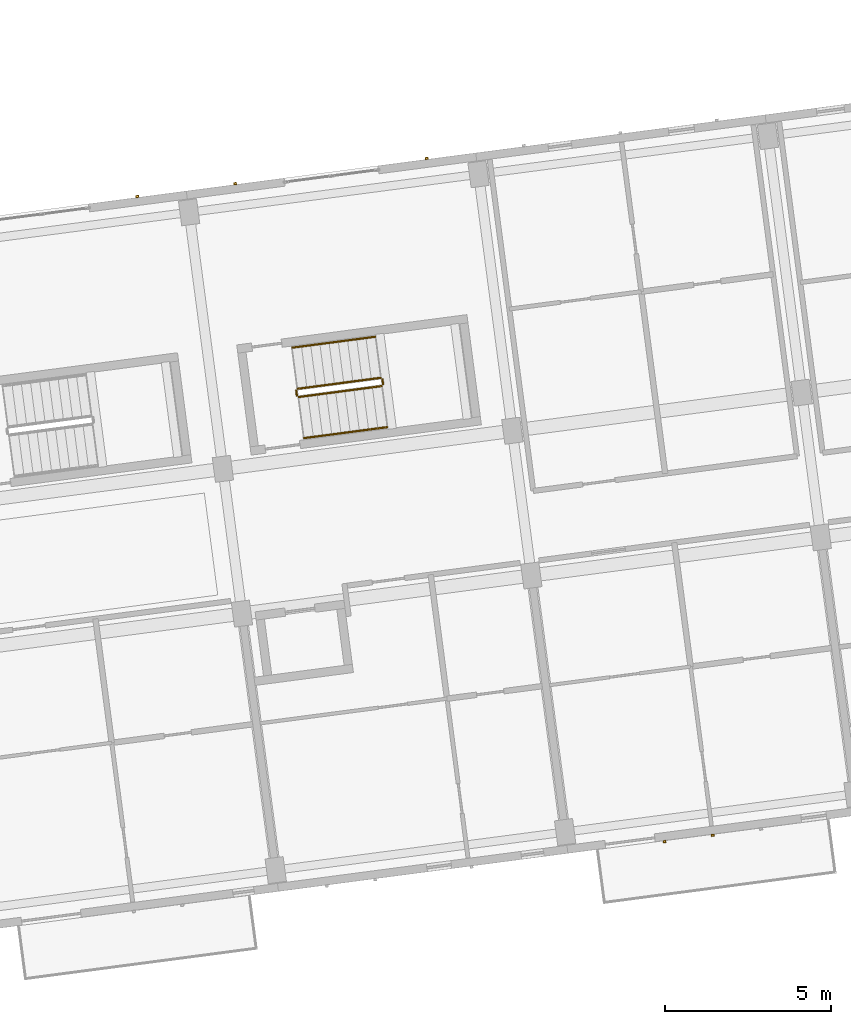
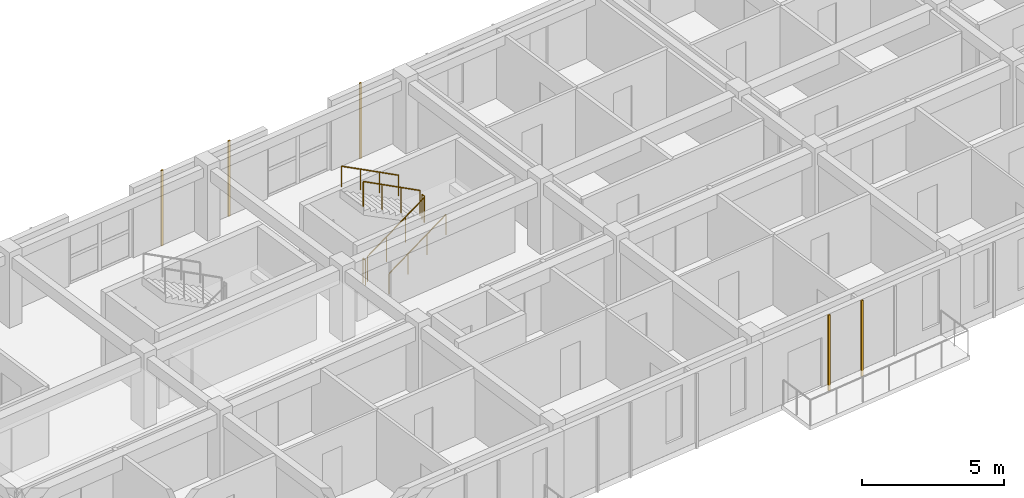
# One storey, part 46 of 68: 6 railings, 5 coverings.
"""IFC4 building model written with IfcOpenShell, lengths in metres."""

from ifc_helpers import new_model, si_unit, direction, frame, origin, origin_2d, place, context, subcontext, project, spatial, rectangle, circle, extrude, material, layer, layer_set, type_object, element, save


model = new_model("IFC4")

# Units and contexts
model_context = context("Model", 3, precision=1e-05, world=origin(), true_north=direction((0.0, 1.0)))
body_context = subcontext(model_context, "Body", "Model", "MODEL_VIEW")
ifc_project = project(units=[si_unit("LENGTHUNIT", "METRE"), si_unit("AREAUNIT", "SQUARE_METRE"), si_unit("VOLUMEUNIT", "CUBIC_METRE"), si_unit("PLANEANGLEUNIT", "RADIAN"), si_unit("MASSUNIT", "GRAM", prefix="KILO")], contexts=[model_context])

# Site, building, storey
site_placement = place(None, origin())
site = spatial("IfcSite", under=ifc_project, at=site_placement, CompositionType="ELEMENT")
building_placement = place(site_placement, origin())
building = spatial("IfcBuilding", under=site, at=building_placement, Name="Kestramere Prow Commons", CompositionType="ELEMENT")
storey_placement = place(building_placement, frame((0.0, 0.0, 18.14990234375)))
storey = spatial("IfcBuildingStorey", under=building, at=storey_placement, Name="L05", CompositionType="ELEMENT", Elevation=18.14990234375)

# Coverings
ifc_material_1 = material(Name="Weathered Zinc-Titanium Standing-Seam Cladding")
ifc_layer = layer(ifc_material_1, 0.074951171875)
ifc_layer_set = layer_set([ifc_layer], Name="Weathered Zinc-Titanium Standing-Seam Cladding")
covering_type = type_object("IfcCoveringType", Name="COV-CLAD-SEAM", PredefinedType="CLADDING", material=ifc_layer_set)
for number, where, z_axis, x_axis, name in (
    (1, (41.824951171875, 75.348388671875, -0.25), (0.0, 0.0, 1.0), (-0.991444861374, -0.13052619222, 0.0), "EW-A-L05-S-3 Standing-Seam Rib 3"),
    (2, (40.370849609375, 75.156982421875, -0.25), (0.0, 0.0, 1.0), (-0.991444861374, -0.13052619222, 0.0), "EW-A-L05-S-3 Standing-Seam Rib 4"),
    (3, (24.4755859375, 94.603759765625, -0.25), (0.0, 0.0, 1.0), (0.991444861374, 0.13052619222, 0.0), "EW-A-L05-NP-1-R Standing-Seam Rib 1"),
    (4, (27.42529296875, 94.991943359375, -0.25), (0.0, 0.0, 1.0), (0.991444861374, 0.13052619222, 0.0), "EW-A-L05-NP-2-L Standing-Seam Rib 1"),
    (5, (33.200439453125, 95.75244140625, -0.25), (0.0, 0.0, 1.0), (0.991444861374, 0.13052619222, 0.0), "EW-A-L05-NP-2-R Standing-Seam Rib 1"),
):
    element("IfcCovering", number, at=place(storey_placement, frame(where, z_axis=z_axis, x_axis=x_axis)), inside=storey, type_object=covering_type, Name=name, PredefinedType="CLADDING", context=body_context, shape_type="SweptSolid", body=[
        extrude(rectangle(XDim=0.0849609375, YDim=0.06494140625, at=origin_2d()), origin(), (0.0, 0.0, 1.0), 3.25),
    ])

# Railings
ifc_material_2 = material(Name="Galvanised Steel S275JR", Category="steel")
railing_type_1 = type_object("IfcRailingType", Name="RL-ST-GR-1100", PredefinedType="GUARDRAIL", material=ifc_material_2)
railing_1_placement = place(storey_placement, frame((29.34375, 88.559814453125, 0.16259765625)))
element("IfcRailing", 6, at=railing_1_placement, inside=storey, type_object=railing_type_1, Name="L05 ST-A2 stair guard 1", PredefinedType="GUARDRAIL", context=body_context, shape_type="SweptSolid", body=[
    extrude(circle(Radius=0.02392578125, at=origin_2d()), frame((0.0, 0.0, 1.076171875), z_axis=(0.857492745196, 0.112958098361, 0.501942885148), x_axis=(-0.130602379397, 0.991434828164, 0.0)), (0.0, 0.0, 1.0), 2.91357421875),
    extrude(circle(Radius=0.02099609375, at=origin_2d()), origin(), (0.0, 0.0, 1.0), 1.052001953125),
    extrude(circle(Radius=0.02099609375, at=origin_2d()), frame((0.832763671875, 0.109619140625, 0.487548828125)), (0.0, 0.0, 1.0), 1.052001953125),
    extrude(circle(Radius=0.02099609375, at=origin_2d()), frame((1.66552734375, 0.219482421875, 0.974853515625)), (0.0, 0.0, 1.0), 1.052001953125),
    extrude(circle(Radius=0.02099609375, at=origin_2d()), frame((2.498291015625, 0.3291015625, 1.46240234375)), (0.0, 0.0, 1.0), 1.052001953125),
])
railing_2_placement = place(storey_placement, frame((31.88525390625, 88.94482421875, 1.625)))
element("IfcRailing", 7, at=railing_2_placement, inside=storey, type_object=railing_type_1, Name="L05 ST-A2 stair guard 2", PredefinedType="GUARDRAIL", context=body_context, shape_type="SweptSolid", body=[
    extrude(circle(Radius=0.02392578125, at=origin_2d()), frame((0.0, 0.0, 1.076171875), z_axis=(-0.1300340368, 0.991509530601, 0.0), x_axis=(-0.991509530601, -0.1300340368, 0.0)), (0.0, 0.0, 1.0), 0.150146484375),
    extrude(circle(Radius=0.02099609375, at=origin_2d()), origin(), (0.0, 0.0, 1.0), 1.052001953125),
    extrude(circle(Radius=0.02099609375, at=origin_2d()), frame((-0.01953125, 0.14892578125, 0.0)), (0.0, 0.0, 1.0), 1.052001953125),
])
railing_3_placement = place(storey_placement, frame((31.8095703125, 89.13671875, 1.78759765625)))
element("IfcRailing", 8, at=railing_3_placement, inside=storey, type_object=railing_type_1, Name="L05 ST-A2 stair guard 3", PredefinedType="GUARDRAIL", context=body_context, shape_type="SweptSolid", body=[
    extrude(circle(Radius=0.02392578125, at=origin_2d()), frame((0.0, 0.0, 1.076171875), z_axis=(-0.85752303711, -0.112867259233, 0.501911568525), x_axis=(0.130494608992, -0.991449018873, 0.0)), (0.0, 0.0, 1.0), 2.91357421875),
    extrude(circle(Radius=0.02099609375, at=origin_2d()), origin(), (0.0, 0.0, 1.0), 1.052001953125),
    extrude(circle(Radius=0.02099609375, at=origin_2d()), frame((-0.832763671875, -0.109619140625, 0.487548828125)), (0.0, 0.0, 1.0), 1.052001953125),
    extrude(circle(Radius=0.02099609375, at=origin_2d()), frame((-1.665771484375, -0.21923828125, 0.974853515625)), (0.0, 0.0, 1.0), 1.052001953125),
    extrude(circle(Radius=0.02099609375, at=origin_2d()), frame((-2.49853515625, -0.328857421875, 1.46240234375)), (0.0, 0.0, 1.0), 1.052001953125),
])
railing_4_placement = place(storey_placement, frame((29.28759765625, 88.60302734375, 0.0)))
element("IfcRailing", 9, at=railing_4_placement, inside=storey, type_object=railing_type_1, Name="L05 ST-A2 stair guard 4", PredefinedType="GUARDRAIL", context=body_context, shape_type="SweptSolid", body=[
    extrude(circle(Radius=0.02392578125, at=origin_2d()), frame((0.0, 0.0, 1.076171875), z_axis=(-0.130243938252, 0.991481979941, 0.0), x_axis=(-0.991481979941, -0.130243938252, 0.0)), (0.0, 0.0, 1.0), 0.14990234375),
    extrude(circle(Radius=0.02099609375, at=origin_2d()), origin(), (0.0, 0.0, 1.0), 1.052001953125),
    extrude(circle(Radius=0.02099609375, at=origin_2d()), frame((-0.01953125, 0.148681640625, 0.0)), (0.0, 0.0, 1.0), 1.052001953125),
])
ifc_material_3 = material(Name="Stainless Steel 304", Category="steel")
railing_type_2 = type_object("IfcRailingType", Name="RL-ST-HR-900", PredefinedType="HANDRAIL", material=ifc_material_3)
railing_5_placement = place(storey_placement, frame((29.5068359375, 87.320556640625, 0.3251953125)))
element("IfcRailing", 10, at=railing_5_placement, inside=storey, type_object=railing_type_2, Name="L05 ST-A2 stair handrail 1", PredefinedType="HANDRAIL", context=body_context, shape_type="SweptSolid", body=[
    extrude(circle(Radius=0.02392578125, at=origin_2d()), frame((0.0, 0.0, 0.8759765625), z_axis=(0.85752303711, 0.112867259233, 0.501911568525), x_axis=(-0.130494608992, 0.991449018873, 0.0)), (0.0, 0.0, 1.0), 2.91357421875),
    extrude(circle(Radius=0.02099609375, at=origin_2d()), origin(), (0.0, 0.0, 1.0), 0.851806640625),
    extrude(circle(Radius=0.02099609375, at=origin_2d()), frame((0.832763671875, 0.109619140625, 0.487548828125)), (0.0, 0.0, 1.0), 0.851806640625),
    extrude(circle(Radius=0.02099609375, at=origin_2d()), frame((1.665771484375, 0.21923828125, 0.974853515625)), (0.0, 0.0, 1.0), 0.851806640625),
    extrude(circle(Radius=0.02099609375, at=origin_2d()), frame((2.49853515625, 0.328857421875, 1.46240234375)), (0.0, 0.0, 1.0), 0.851806640625),
])
railing_6_placement = place(storey_placement, frame((31.646484375, 90.3759765625, 1.9501953125)))
element("IfcRailing", 11, at=railing_6_placement, inside=storey, type_object=railing_type_2, Name="L05 ST-A2 stair handrail 2", PredefinedType="HANDRAIL", context=body_context, shape_type="SweptSolid", body=[
    extrude(circle(Radius=0.02392578125, at=origin_2d()), frame((0.0, 0.0, 0.8759765625), z_axis=(-0.85752303711, -0.112867259233, 0.501911568525), x_axis=(0.130494608992, -0.991449018873, 0.0)), (0.0, 0.0, 1.0), 2.91357421875),
    extrude(circle(Radius=0.02099609375, at=origin_2d()), origin(), (0.0, 0.0, 1.0), 0.851806640625),
    extrude(circle(Radius=0.02099609375, at=origin_2d()), frame((-0.832763671875, -0.109619140625, 0.487548828125)), (0.0, 0.0, 1.0), 0.851806640625),
    extrude(circle(Radius=0.02099609375, at=origin_2d()), frame((-1.665771484375, -0.21923828125, 0.974853515625)), (0.0, 0.0, 1.0), 0.851806640625),
    extrude(circle(Radius=0.02099609375, at=origin_2d()), frame((-2.49853515625, -0.328857421875, 1.46240234375)), (0.0, 0.0, 1.0), 0.851806640625),
])

save(model, "model.ifc")
